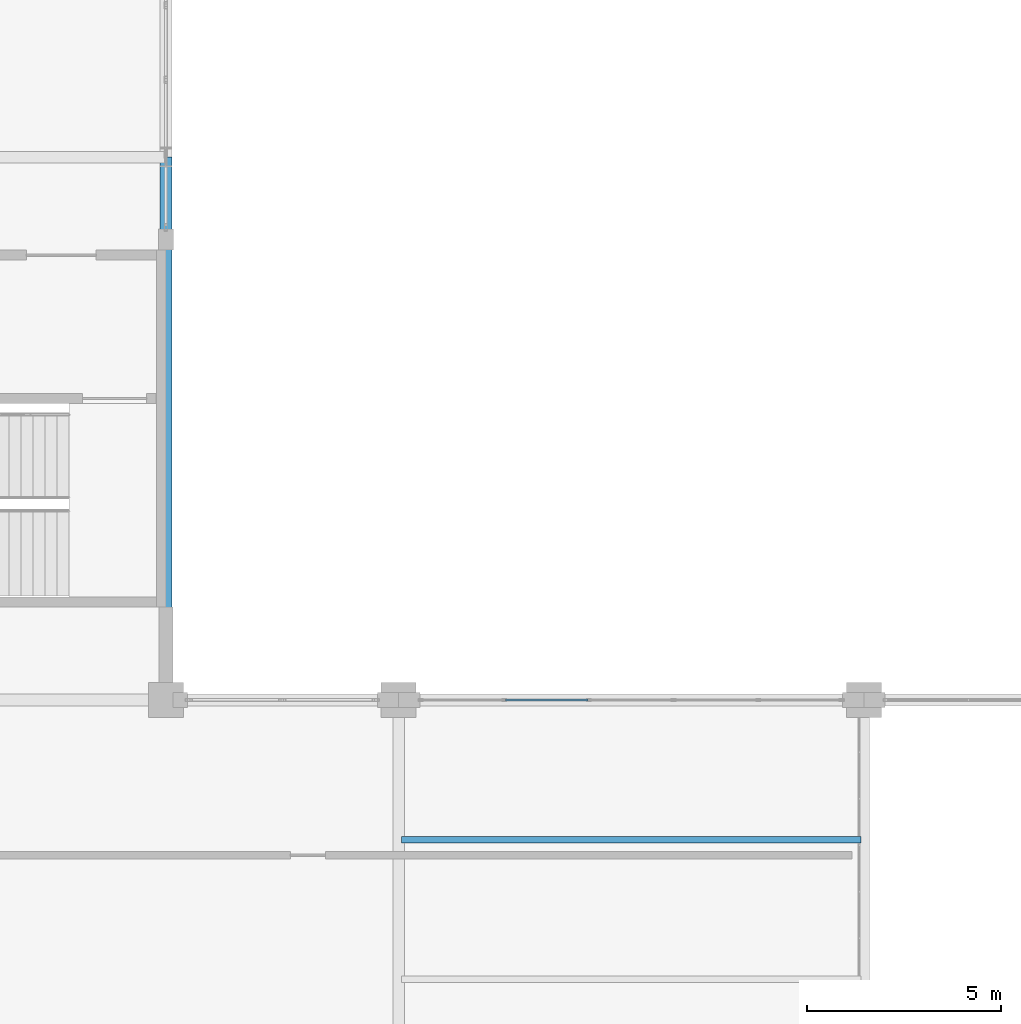
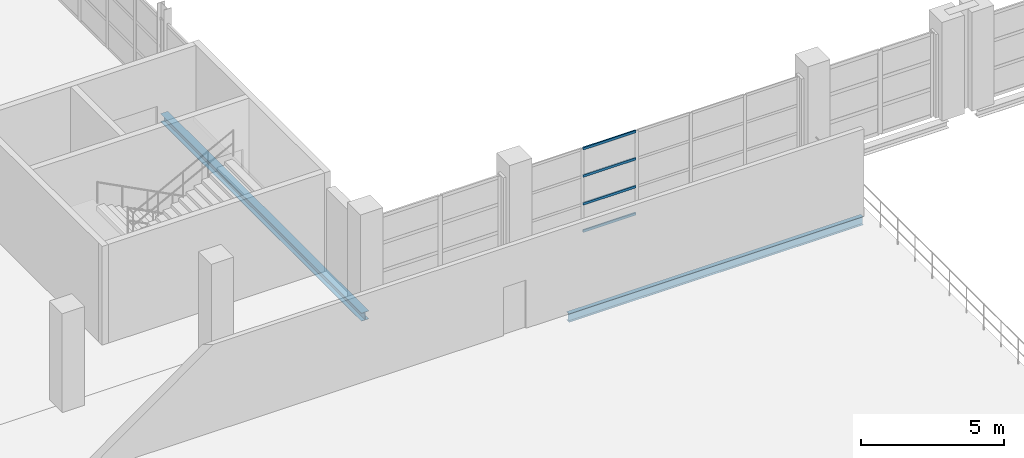
# One storey, part 50 of 158: 4 members, 2 beams, 1 element without a shape of its own.
"""IFC4 building model written with IfcOpenShell, lengths in metres."""

from ifc_helpers import new_model, si_unit, direction, frame, origin, origin_2d, place, context, subcontext, project, spatial, hollow_rectangle, i_section, extrude, material, layer, layer_set, material_profile, profile_set, type_object, element, aggregate, save


model = new_model("IFC4")

# Units and contexts
model_context = context("Model", 3, precision=1e-05, world=origin(), true_north=direction((0.0, 1.0)))
body_context = subcontext(model_context, "Body", "Model", "MODEL_VIEW")
ifc_project = project(units=[si_unit("LENGTHUNIT", "METRE"), si_unit("AREAUNIT", "SQUARE_METRE"), si_unit("VOLUMEUNIT", "CUBIC_METRE"), si_unit("PLANEANGLEUNIT", "RADIAN"), si_unit("MASSUNIT", "GRAM", prefix="KILO")], contexts=[model_context])

# Site, building, storey
site_placement = place(None, origin())
site = spatial("IfcSite", under=ifc_project, at=site_placement, CompositionType="ELEMENT")
building_placement = place(site_placement, origin())
building = spatial("IfcBuilding", under=site, at=building_placement, Name="Zilviju Railside Exhibition Hall", CompositionType="ELEMENT")
storey_placement = place(building_placement, frame((0.0, 0.0, 4.199951171875)))
storey = spatial("IfcBuildingStorey", under=building, at=storey_placement, Name="L02", CompositionType="ELEMENT", Elevation=4.199951171875)

# Beams
ifc_material_1 = material(Name="Steel S355J2", Category="steel")
ifc_material_profile_1 = material_profile(ifc_material_1, i_section(OverallWidth=0.300048828125, OverallDepth=0.35009765625, WebThickness=0.010009765625, FlangeThickness=0.017578125, at=origin_2d()), Name="HEA 360")
ifc_profile_set_1 = profile_set([ifc_material_profile_1], Name="Steel S355J2")
beam_type_1 = type_object("IfcBeamType", Name="BM-HEA360", PredefinedType="BEAM", material=ifc_profile_set_1)
beam_1_placement = place(storey_placement, frame((102.0, 54.0, -0.52490234375), z_axis=(0.0, 1.0, 0.0), x_axis=(-1.0, 0.0, 0.0)))
element("IfcBeam", 1, at=beam_1_placement, inside=storey, type_object=beam_type_1, Name="Transverse Girder L02 X=102.0 (54.0..68.0)", PredefinedType="BEAM", context=body_context, shape_type="SweptSolid", body=[
    extrude(i_section(OverallWidth=0.300048828125, OverallDepth=0.35009765625, WebThickness=0.010009765625, FlangeThickness=0.017578125, at=origin_2d()), origin(), (0.0, 0.0, 1.0), 14.0),
])
ifc_material_profile_2 = material_profile(ifc_material_1, i_section(OverallWidth=0.169921875, OverallDepth=0.360107421875, WebThickness=0.008056640625, FlangeThickness=0.0126953125, at=origin_2d()), Name="IPE 360")
ifc_profile_set_2 = profile_set([ifc_material_profile_2], Name="Steel S355J2")
beam_type_2 = type_object("IfcBeamType", Name="BM-IPE360", PredefinedType="JOIST", material=ifc_profile_set_2)
beam_2_placement = place(storey_placement, frame((108.080078125, 50.39990234375, -0.510009765625), z_axis=(1.0, 0.0, 0.0), x_axis=(0.0, 1.0, 0.0)))
element("IfcBeam", 2, at=beam_2_placement, inside=storey, type_object=beam_type_2, Name="Composite Floor Joist L02 Y=50.40 (108.0..120.0)", PredefinedType="JOIST", context=body_context, shape_type="SweptSolid", body=[
    extrude(i_section(OverallWidth=0.169921875, OverallDepth=0.360107421875, WebThickness=0.008056640625, FlangeThickness=0.0126953125, at=origin_2d()), origin(), (0.0, 0.0, 1.0), 11.83984375),
])

# Curtain wall, members
ifc_material_2 = material(Name="Thermally broken aluminium-steel triple-glazed curtain wall", Category="steel")
ifc_layer = layer(ifc_material_2, 0.179931640625)
ifc_layer_set = layer_set([ifc_layer], Name="Thermally broken aluminium-steel triple-glazed curtain wall")
curtain_wall_type = type_object("IfcCurtainWallType", Name="CW-BAY-18", PredefinedType="USERDEFINED", material=ifc_layer_set)
curtain_wall_placement = place(storey_placement, origin())
curtain_wall = element("IfcCurtainWall", 3, at=curtain_wall_placement, inside=storey, type_object=curtain_wall_type, Name="South Hall Garden Court Curtain Wall L02 (108..120)", ObjectType="GLAZED CURTAIN WALL", PredefinedType="USERDEFINED")
ifc_material_3 = material(Name="Thermally broken anodized aluminium transom", Category="aluminium")
ifc_material_profile_3 = material_profile(ifc_material_3, hollow_rectangle(XDim=0.054931640625, YDim=0.10498046875, WallThickness=0.0048828125, at=origin_2d()), Name="TRANSOM 105x55x5")
ifc_profile_set_3 = profile_set([ifc_material_profile_3], Name="Thermally broken anodized aluminium transom")
member_type = type_object("IfcMemberType", Name="CWT-55x105", PredefinedType="USERDEFINED", material=ifc_profile_set_3)
member_1_placement = place(storey_placement, frame((110.757568359375, 54.0, 0.027587890625), z_axis=(1.0, 0.0, 0.0), x_axis=(0.0, 1.0, 0.0)))
member_1 = element("IfcMember", 4, at=member_1_placement, type_object=member_type, Name="CW-18 transom 2.1", ObjectType="TRANSOM", PredefinedType="USERDEFINED", context=body_context, shape_type="SweptSolid", body=[
    extrude(hollow_rectangle(XDim=0.054931640625, YDim=0.10498046875, WallThickness=0.0048828125, at=origin_2d()), origin(), (0.0, 0.0, 1.0), 2.125),
])
member_2_placement = place(storey_placement, frame((110.757568359375, 54.0, 1.18701171875), z_axis=(1.0, 0.0, 0.0), x_axis=(0.0, 1.0, 0.0)))
member_2 = element("IfcMember", 5, at=member_2_placement, type_object=member_type, Name="CW-18 transom 2.2", ObjectType="TRANSOM", PredefinedType="USERDEFINED", context=body_context, shape_type="SweptSolid", body=[
    extrude(hollow_rectangle(XDim=0.054931640625, YDim=0.10498046875, WallThickness=0.0048828125, at=origin_2d()), origin(), (0.0, 0.0, 1.0), 2.125),
])
member_3_placement = place(storey_placement, frame((110.757568359375, 54.0, 2.373046875), z_axis=(1.0, 0.0, 0.0), x_axis=(0.0, 1.0, 0.0)))
member_3 = element("IfcMember", 6, at=member_3_placement, type_object=member_type, Name="CW-18 transom 2.3", ObjectType="TRANSOM", PredefinedType="USERDEFINED", context=body_context, shape_type="SweptSolid", body=[
    extrude(hollow_rectangle(XDim=0.054931640625, YDim=0.10498046875, WallThickness=0.0048828125, at=origin_2d()), origin(), (0.0, 0.0, 1.0), 2.125),
])
member_4_placement = place(storey_placement, frame((110.757568359375, 54.0, 3.532470703125), z_axis=(1.0, 0.0, 0.0), x_axis=(0.0, 1.0, 0.0)))
member_4 = element("IfcMember", 7, at=member_4_placement, type_object=member_type, Name="CW-18 transom 2.4", ObjectType="TRANSOM", PredefinedType="USERDEFINED", context=body_context, shape_type="SweptSolid", body=[
    extrude(hollow_rectangle(XDim=0.054931640625, YDim=0.10498046875, WallThickness=0.0048828125, at=origin_2d()), origin(), (0.0, 0.0, 1.0), 2.125),
])
aggregate(curtain_wall, [member_1, member_2, member_3, member_4])

save(model, "model.ifc")
